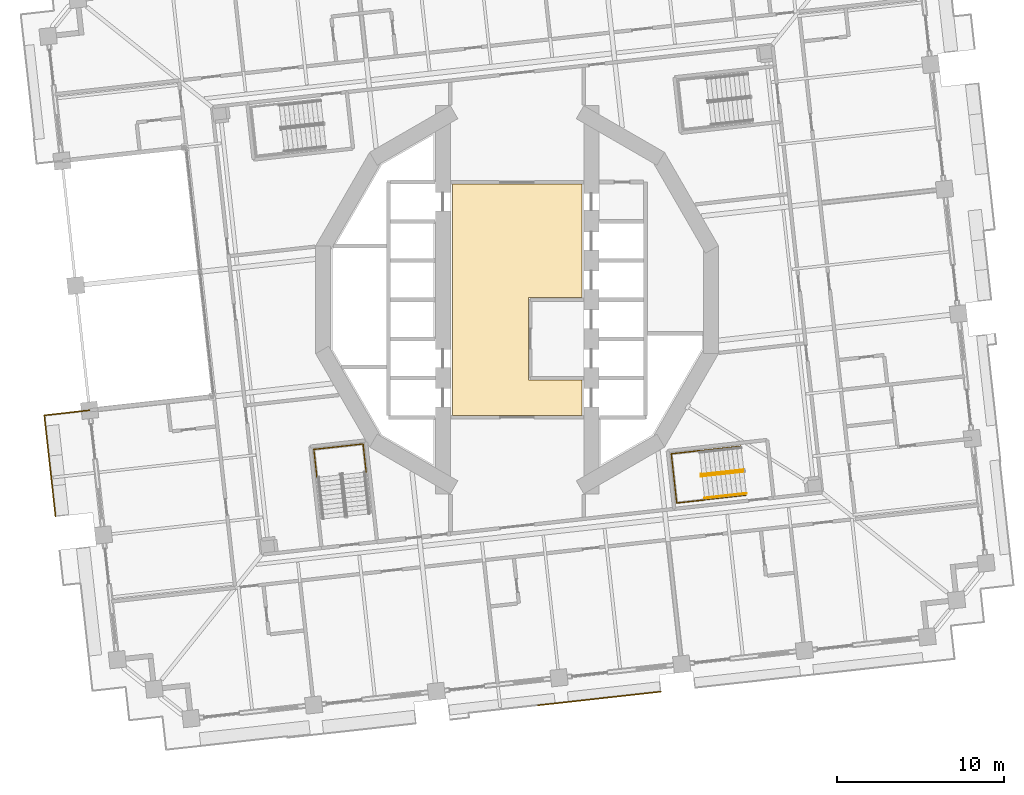
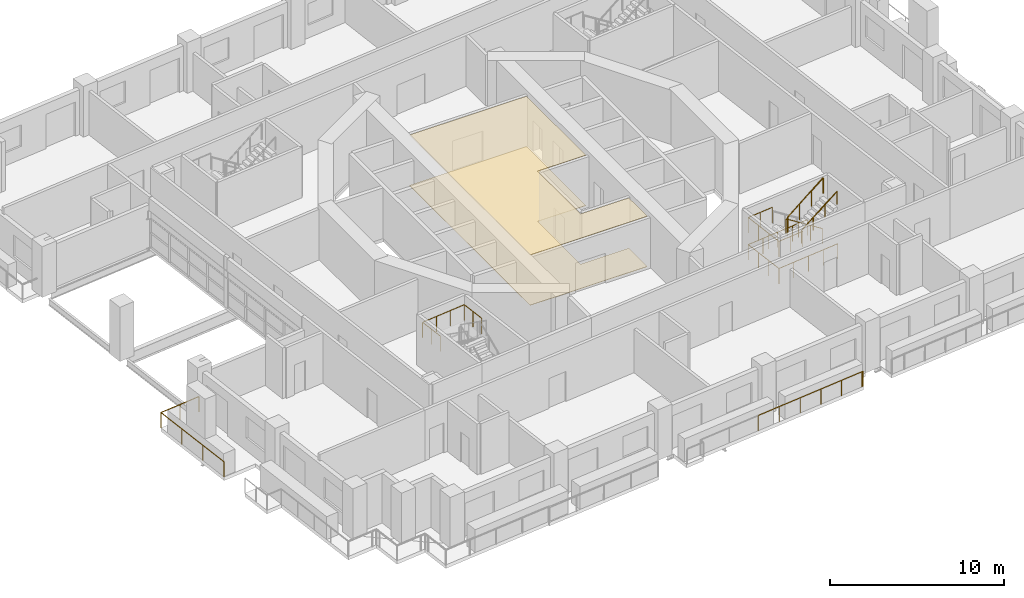
# One storey, part 16 of 21: 8 railings, 2 coverings.
"""IFC4 building model written with IfcOpenShell, lengths in metres."""

from ifc_helpers import new_model, si_unit, direction, frame, origin, origin_2d, place, context, subcontext, project, spatial, polyline, circle, outline, extrude, material, layer, layer_set, type_object, element, save


model = new_model("IFC4")

# Units and contexts
model_context = context("Model", 3, precision=1e-05, world=origin(), true_north=direction((0.0, 1.0)))
body_context = subcontext(model_context, "Body", "Model", "MODEL_VIEW")
ifc_project = project(units=[si_unit("LENGTHUNIT", "METRE"), si_unit("AREAUNIT", "SQUARE_METRE"), si_unit("VOLUMEUNIT", "CUBIC_METRE"), si_unit("PLANEANGLEUNIT", "RADIAN"), si_unit("MASSUNIT", "GRAM", prefix="KILO")], contexts=[model_context])

# Site, building, storey
site_placement = place(None, origin())
site = spatial("IfcSite", under=ifc_project, at=site_placement, CompositionType="ELEMENT")
building_placement = place(site_placement, origin())
building = spatial("IfcBuilding", under=site, at=building_placement, Name="Cantera Rosa Tower", CompositionType="ELEMENT")
storey_placement = place(building_placement, frame((0.0, 0.0, 69.10009765625)))
storey = spatial("IfcBuildingStorey", under=building, at=storey_placement, Name="L14", CompositionType="ELEMENT", Elevation=69.10009765625)

# Railings
ifc_material_1 = material(Name="Stainless steel and laminated glass", Category="steel")
railing_type_1 = type_object("IfcRailingType", Name="GUARD 1100", PredefinedType="BALUSTRADE", material=ifc_material_1)
railing_1_placement = place(storey_placement, frame((-27.669677734375, -12.9814453125, 0.0)))
element("IfcRailing", 1, at=railing_1_placement, inside=storey, type_object=railing_type_1, Name="GUARD L14-3", PredefinedType="BALUSTRADE", context=body_context, shape_type="SweptSolid", body=[
    extrude(circle(Radius=0.030029296875, at=origin_2d()), frame((0.0, 0.0, 1.070068359375), z_axis=(-0.110286322541, 0.993899857662, 0.0), x_axis=(-0.993899857662, -0.110286322541, 0.0)), (0.0, 0.0, 1.0), 6.08984375),
    extrude(circle(Radius=0.030029296875, at=origin_2d()), frame((-0.671630859375, 6.052734375, 1.070068359375), z_axis=(0.993893608981, 0.110342621082, 0.0), x_axis=(-0.110342621082, 0.993893608981, 0.0)), (0.0, 0.0, 1.0), 2.712646484375),
    extrude(circle(Radius=0.02490234375, at=origin_2d()), origin(), (0.0, 0.0, 1.0), 1.0400390625),
    extrude(circle(Radius=0.02490234375, at=origin_2d()), frame((-0.223876953125, 2.017578125, 0.0)), (0.0, 0.0, 1.0), 1.0400390625),
    extrude(circle(Radius=0.02490234375, at=origin_2d()), frame((-0.44775390625, 4.03515625, 0.0)), (0.0, 0.0, 1.0), 1.0400390625),
    extrude(circle(Radius=0.02490234375, at=origin_2d()), frame((-0.671630859375, 6.052734375, 0.0)), (0.0, 0.0, 1.0), 1.0400390625),
    extrude(circle(Radius=0.02490234375, at=origin_2d()), frame((0.67626953125, 6.202392578125, 0.0)), (0.0, 0.0, 1.0), 1.0400390625),
    extrude(circle(Radius=0.02490234375, at=origin_2d()), frame((2.0244140625, 6.35205078125, 0.0)), (0.0, 0.0, 1.0), 1.0400390625),
])
railing_2_placement = place(storey_placement, frame((8.6142578125, -23.4931640625, 0.0)))
element("IfcRailing", 2, at=railing_2_placement, inside=storey, type_object=railing_type_1, Name="GUARD L14-8", PredefinedType="BALUSTRADE", context=body_context, shape_type="SweptSolid", body=[
    extrude(circle(Radius=0.030029296875, at=origin_2d()), frame((0.0, 0.0, 1.070068359375), z_axis=(-0.994136314057, -0.108134125389, 0.0), x_axis=(0.108134125389, -0.994136314057, 0.0)), (0.0, 0.0, 1.0), 0.070068359375),
    extrude(circle(Radius=0.030029296875, at=origin_2d()), frame((-0.069580078125, -0.007568359375, 1.070068359375), z_axis=(-0.993891851654, -0.110358448777, 0.0), x_axis=(0.110358448777, -0.993891851654, 0.0)), (0.0, 0.0, 1.0), 4.400146484375),
    extrude(circle(Radius=0.030029296875, at=origin_2d()), frame((-4.44287109375, -0.4931640625, 1.070068359375), z_axis=(-0.993901585709, -0.110270748271, 0.0), x_axis=(0.110270748271, -0.993901585709, 0.0)), (0.0, 0.0, 1.0), 3.0),
    extrude(circle(Radius=0.02490234375, at=origin_2d()), origin(), (0.0, 0.0, 1.0), 1.0400390625),
    extrude(circle(Radius=0.02490234375, at=origin_2d()), frame((-0.069580078125, -0.007568359375, 0.0)), (0.0, 0.0, 1.0), 1.0400390625),
    extrude(circle(Radius=0.02490234375, at=origin_2d()), frame((-1.52734375, -0.16943359375, 0.0)), (0.0, 0.0, 1.0), 1.0400390625),
    extrude(circle(Radius=0.02490234375, at=origin_2d()), frame((-2.985107421875, -0.331298828125, 0.0)), (0.0, 0.0, 1.0), 1.0400390625),
    extrude(circle(Radius=0.02490234375, at=origin_2d()), frame((-4.44287109375, -0.4931640625, 0.0)), (0.0, 0.0, 1.0), 1.0400390625),
    extrude(circle(Radius=0.02490234375, at=origin_2d()), frame((-5.93359375, -0.65869140625, 0.0)), (0.0, 0.0, 1.0), 1.0400390625),
    extrude(circle(Radius=0.02490234375, at=origin_2d()), frame((-7.424560546875, -0.823974609375, 0.0)), (0.0, 0.0, 1.0), 1.0400390625),
])
ifc_material_2 = material(Name="Steel S355J2 (EN 10025-2)", Category="steel")
railing_type_2 = type_object("IfcRailingType", Name="STAIR GUARD 1100", PredefinedType="GUARDRAIL", material=ifc_material_2)
railing_3_placement = place(storey_placement, frame((-9.04638671875, -10.3349609375, 1.89990234375)))
element("IfcRailing", 3, at=railing_3_placement, inside=storey, type_object=railing_type_2, Name="L14 ST-13 stair guard 5", PredefinedType="GUARDRAIL", context=body_context, shape_type="SweptSolid", body=[
    extrude(circle(Radius=0.02392578125, at=origin_2d()), frame((0.0, 0.0, 1.076171875), z_axis=(-0.110305577623, 0.993897720867, 0.0), x_axis=(-0.993897720867, -0.110305577623, 0.0)), (0.0, 0.0, 1.0), 1.7021484375),
    extrude(circle(Radius=0.02392578125, at=origin_2d()), frame((-0.187744140625, 1.691650390625, 1.076171875), z_axis=(-0.993896759678, -0.110314237986, 0.0), x_axis=(0.110314237986, -0.993896759678, 0.0)), (0.0, 0.0, 1.0), 2.969970703125),
    extrude(circle(Radius=0.02392578125, at=origin_2d()), frame((-3.1396484375, 1.364013671875, 1.076171875), z_axis=(0.110447269257, -0.993881985305, 0.0), x_axis=(0.993881985305, 0.110447269257, 0.0)), (0.0, 0.0, 1.0), 1.7021484375),
    extrude(circle(Radius=0.02099609375, at=origin_2d()), origin(), (0.0, 0.0, 1.0), 1.052001953125),
    extrude(circle(Radius=0.02099609375, at=origin_2d()), frame((-0.09375, 0.845703125, 0.0)), (0.0, 0.0, 1.0), 1.052001953125),
    extrude(circle(Radius=0.02099609375, at=origin_2d()), frame((-0.187744140625, 1.691650390625, 0.0)), (0.0, 0.0, 1.0), 1.052001953125),
    extrude(circle(Radius=0.02099609375, at=origin_2d()), frame((-1.171630859375, 1.58251953125, 0.0)), (0.0, 0.0, 1.0), 1.052001953125),
    extrude(circle(Radius=0.02099609375, at=origin_2d()), frame((-2.15576171875, 1.47314453125, 0.0)), (0.0, 0.0, 1.0), 1.052001953125),
    extrude(circle(Radius=0.02099609375, at=origin_2d()), frame((-3.1396484375, 1.364013671875, 0.0)), (0.0, 0.0, 1.0), 1.052001953125),
    extrude(circle(Radius=0.02099609375, at=origin_2d()), frame((-3.045654296875, 0.51806640625, 0.0)), (0.0, 0.0, 1.0), 1.052001953125),
    extrude(circle(Radius=0.02099609375, at=origin_2d()), frame((-2.95166015625, -0.32763671875, 0.0)), (0.0, 0.0, 1.0), 1.052001953125),
])
railing_4_placement = place(storey_placement, frame((13.5859375, -10.19677734375, 0.18994140625)))
element("IfcRailing", 4, at=railing_4_placement, inside=storey, type_object=railing_type_2, Name="L14 ST-14 stair guard 1", PredefinedType="GUARDRAIL", context=body_context, shape_type="SweptSolid", body=[
    extrude(circle(Radius=0.02392578125, at=origin_2d()), frame((0.0, 0.0, 1.076171875), z_axis=(-0.822405392514, -0.091316020869, 0.561525382059), x_axis=(0.110357086308, -0.993892002937, 0.0)), (0.0, 0.0, 1.0), 3.045166015625),
    extrude(circle(Radius=0.02392578125, at=origin_2d()), frame((-2.50439453125, -0.278076171875, 2.7861328125), z_axis=(-0.933456941688, 0.358689472963, 0.0), x_axis=(-0.358689472963, -0.933456941688, 0.0)), (0.0, 0.0, 1.0), 0.056396484375),
    extrude(circle(Radius=0.02392578125, at=origin_2d()), frame((-2.55712890625, -0.2578125, 2.7861328125), z_axis=(0.110789159685, -0.993843932464, 0.0), x_axis=(0.993843932464, 0.110789159685, 0.0)), (0.0, 0.0, 1.0), 0.14990234375),
    extrude(circle(Radius=0.02099609375, at=origin_2d()), origin(), (0.0, 0.0, 1.0), 1.052001953125),
    extrude(circle(Radius=0.02099609375, at=origin_2d()), frame((-0.834716796875, -0.0927734375, 0.570068359375)), (0.0, 0.0, 1.0), 1.052001953125),
    extrude(circle(Radius=0.02099609375, at=origin_2d()), frame((-1.669677734375, -0.185302734375, 1.139892578125)), (0.0, 0.0, 1.0), 1.052001953125),
    extrude(circle(Radius=0.02099609375, at=origin_2d()), frame((-2.50439453125, -0.278076171875, 1.7099609375)), (0.0, 0.0, 1.0), 1.052001953125),
    extrude(circle(Radius=0.02099609375, at=origin_2d()), frame((-2.55712890625, -0.2578125, 1.7099609375)), (0.0, 0.0, 1.0), 1.052001953125),
    extrude(circle(Radius=0.02099609375, at=origin_2d()), frame((-2.54052734375, -0.40673828125, 1.7099609375)), (0.0, 0.0, 1.0), 1.052001953125),
])
railing_5_placement = place(storey_placement, frame((11.09228515625, -10.572265625, 2.08984375)))
element("IfcRailing", 5, at=railing_5_placement, inside=storey, type_object=railing_type_2, Name="L14 ST-14 stair guard 2", PredefinedType="GUARDRAIL", context=body_context, shape_type="SweptSolid", body=[
    extrude(circle(Radius=0.02392578125, at=origin_2d()), frame((0.0, 0.0, 1.076171875), z_axis=(0.822431337597, 0.091310000343, 0.561488360321), x_axis=(-0.110346460196, 0.993893182753, 0.0)), (0.0, 0.0, 1.0), 3.04541015625),
    extrude(circle(Radius=0.02099609375, at=origin_2d()), origin(), (0.0, 0.0, 1.0), 1.052001953125),
    extrude(circle(Radius=0.02099609375, at=origin_2d()), frame((0.8349609375, 0.0927734375, 0.570068359375)), (0.0, 0.0, 1.0), 1.052001953125),
    extrude(circle(Radius=0.02099609375, at=origin_2d()), frame((1.669677734375, 0.185302734375, 1.139892578125)), (0.0, 0.0, 1.0), 1.052001953125),
    extrude(circle(Radius=0.02099609375, at=origin_2d()), frame((2.504638671875, 0.278076171875, 1.7099609375)), (0.0, 0.0, 1.0), 1.052001953125),
])
railing_6_placement = place(storey_placement, frame((13.415771484375, -8.77099609375, 0.0)))
element("IfcRailing", 6, at=railing_6_placement, inside=storey, type_object=railing_type_2, Name="L14 ST-14 stair guard 4", PredefinedType="GUARDRAIL", context=body_context, shape_type="SweptSolid", body=[
    extrude(circle(Radius=0.02392578125, at=origin_2d()), frame((0.0, 0.0, 1.076171875), z_axis=(-0.9938957856, -0.110323013767, 0.0), x_axis=(0.110323013767, -0.9938957856, 0.0)), (0.0, 0.0, 1.0), 4.197998046875),
    extrude(circle(Radius=0.02392578125, at=origin_2d()), frame((-4.17236328125, -0.463134765625, 1.076171875), z_axis=(0.110314237986, -0.993896759678, 0.0), x_axis=(0.993896759678, 0.110314237986, 0.0)), (0.0, 0.0, 1.0), 2.969970703125),
    extrude(circle(Radius=0.02392578125, at=origin_2d()), frame((-3.8447265625, -3.4150390625, 1.076171875), z_axis=(0.9938957856, 0.110323013767, 0.0), x_axis=(-0.110323013767, 0.9938957856, 0.0)), (0.0, 0.0, 1.0), 4.197998046875),
    extrude(circle(Radius=0.02099609375, at=origin_2d()), origin(), (0.0, 0.0, 1.0), 1.052001953125),
    extrude(circle(Radius=0.02099609375, at=origin_2d()), frame((-1.04296875, -0.11572265625, 0.0)), (0.0, 0.0, 1.0), 1.052001953125),
    extrude(circle(Radius=0.02099609375, at=origin_2d()), frame((-2.086181640625, -0.2314453125, 0.0)), (0.0, 0.0, 1.0), 1.052001953125),
    extrude(circle(Radius=0.02099609375, at=origin_2d()), frame((-3.12939453125, -0.347412109375, 0.0)), (0.0, 0.0, 1.0), 1.052001953125),
    extrude(circle(Radius=0.02099609375, at=origin_2d()), frame((-4.17236328125, -0.463134765625, 0.0)), (0.0, 0.0, 1.0), 1.052001953125),
    extrude(circle(Radius=0.02099609375, at=origin_2d()), frame((-4.063232421875, -1.447021484375, 0.0)), (0.0, 0.0, 1.0), 1.052001953125),
    extrude(circle(Radius=0.02099609375, at=origin_2d()), frame((-3.953857421875, -2.43115234375, 0.0)), (0.0, 0.0, 1.0), 1.052001953125),
    extrude(circle(Radius=0.02099609375, at=origin_2d()), frame((-3.8447265625, -3.4150390625, 0.0)), (0.0, 0.0, 1.0), 1.052001953125),
    extrude(circle(Radius=0.02099609375, at=origin_2d()), frame((-2.8017578125, -3.29931640625, 0.0)), (0.0, 0.0, 1.0), 1.052001953125),
    extrude(circle(Radius=0.02099609375, at=origin_2d()), frame((-1.758544921875, -3.18359375, 0.0)), (0.0, 0.0, 1.0), 1.052001953125),
    extrude(circle(Radius=0.02099609375, at=origin_2d()), frame((-0.71533203125, -3.067626953125, 0.0)), (0.0, 0.0, 1.0), 1.052001953125),
    extrude(circle(Radius=0.02099609375, at=origin_2d()), frame((0.32763671875, -2.951904296875, 0.0)), (0.0, 0.0, 1.0), 1.052001953125),
])
railing_7_placement = place(storey_placement, frame((10.93505859375, -9.04638671875, 1.89990234375)))
element("IfcRailing", 7, at=railing_7_placement, inside=storey, type_object=railing_type_2, Name="L14 ST-14 stair guard 5", PredefinedType="GUARDRAIL", context=body_context, shape_type="SweptSolid", body=[
    extrude(circle(Radius=0.02392578125, at=origin_2d()), frame((0.0, 0.0, 1.076171875), z_axis=(-0.993897720867, -0.110305577623, 0.0), x_axis=(0.110305577623, -0.993897720867, 0.0)), (0.0, 0.0, 1.0), 1.7021484375),
    extrude(circle(Radius=0.02392578125, at=origin_2d()), frame((-1.691650390625, -0.187744140625, 1.076171875), z_axis=(0.110314237986, -0.993896759678, 0.0), x_axis=(0.993896759678, 0.110314237986, 0.0)), (0.0, 0.0, 1.0), 2.969970703125),
    extrude(circle(Radius=0.02392578125, at=origin_2d()), frame((-1.364013671875, -3.1396484375, 1.076171875), z_axis=(0.993881985305, 0.110447269257, 0.0), x_axis=(-0.110447269257, 0.993881985305, 0.0)), (0.0, 0.0, 1.0), 1.7021484375),
    extrude(circle(Radius=0.02099609375, at=origin_2d()), origin(), (0.0, 0.0, 1.0), 1.052001953125),
    extrude(circle(Radius=0.02099609375, at=origin_2d()), frame((-0.845703125, -0.09375, 0.0)), (0.0, 0.0, 1.0), 1.052001953125),
    extrude(circle(Radius=0.02099609375, at=origin_2d()), frame((-1.691650390625, -0.187744140625, 0.0)), (0.0, 0.0, 1.0), 1.052001953125),
    extrude(circle(Radius=0.02099609375, at=origin_2d()), frame((-1.58251953125, -1.171630859375, 0.0)), (0.0, 0.0, 1.0), 1.052001953125),
    extrude(circle(Radius=0.02099609375, at=origin_2d()), frame((-1.47314453125, -2.15576171875, 0.0)), (0.0, 0.0, 1.0), 1.052001953125),
    extrude(circle(Radius=0.02099609375, at=origin_2d()), frame((-1.364013671875, -3.1396484375, 0.0)), (0.0, 0.0, 1.0), 1.052001953125),
    extrude(circle(Radius=0.02099609375, at=origin_2d()), frame((-0.51806640625, -3.045654296875, 0.0)), (0.0, 0.0, 1.0), 1.052001953125),
    extrude(circle(Radius=0.02099609375, at=origin_2d()), frame((0.32763671875, -2.95166015625, 0.0)), (0.0, 0.0, 1.0), 1.052001953125),
])
ifc_material_3 = material(Name="Steel S355J2 (EN 10025-2)", Category="steel")
railing_type_3 = type_object("IfcRailingType", Name="STAIR HANDRAIL 900", PredefinedType="HANDRAIL", material=ifc_material_3)
railing_8_placement = place(storey_placement, frame((11.238525390625, -11.89013671875, 2.08984375)))
element("IfcRailing", 8, at=railing_8_placement, inside=storey, type_object=railing_type_3, Name="L14 ST-14 stair handrail 2", PredefinedType="HANDRAIL", context=body_context, shape_type="SweptSolid", body=[
    extrude(circle(Radius=0.02392578125, at=origin_2d()), frame((0.0, 0.0, 0.8759765625), z_axis=(0.822431337597, 0.091310000343, 0.561488360321), x_axis=(-0.110346460196, 0.993893182753, 0.0)), (0.0, 0.0, 1.0), 3.04541015625),
    extrude(circle(Radius=0.02099609375, at=origin_2d()), origin(), (0.0, 0.0, 1.0), 0.851806640625),
    extrude(circle(Radius=0.02099609375, at=origin_2d()), frame((0.8349609375, 0.0927734375, 0.570068359375)), (0.0, 0.0, 1.0), 0.851806640625),
    extrude(circle(Radius=0.02099609375, at=origin_2d()), frame((1.669677734375, 0.185302734375, 1.139892578125)), (0.0, 0.0, 1.0), 0.851806640625),
    extrude(circle(Radius=0.02099609375, at=origin_2d()), frame((2.504638671875, 0.278076171875, 1.7099609375)), (0.0, 0.0, 1.0), 0.851806640625),
])

# Coverings
ifc_material_4 = material(Name="Limestone paving", Category="masonry")
ifc_layer_1 = layer(ifc_material_4, 0.02490234375)
ifc_layer_set_1 = layer_set([ifc_layer_1], Name="STONE FLOOR FINISH 25")
covering_type_1 = type_object("IfcCoveringType", Name="STONE FLOOR FINISH 25", PredefinedType="FLOORING", material=ifc_layer_set_1)
covering_1_placement = place(storey_placement, origin())
element("IfcCovering", 9, at=covering_1_placement, inside=storey, type_object=covering_type_1, Name="STONE FLOOR FINISH L14", PredefinedType="FLOORING", context=body_context, shape_type="SweptSolid", body=[
    extrude(outline(polyline([(3.8798828125, 6.929931640625), (3.8798828125, 0.1201171875), (0.679931640625, 0.1201171875), (0.679931640625, -4.820068359375), (3.8798828125, -4.820068359375), (3.8798828125, -6.929931640625), (-3.8798828125, -6.929931640625), (-3.8798828125, 6.929931640625), (3.8798828125, 6.929931640625)])), origin(), (0.0, 0.0, 1.0), 0.02490234375),
])
ifc_material_5 = material(Name="Gypsum ceiling tile")
ifc_layer_2 = layer(ifc_material_5, 0.030029296875)
ifc_layer_set_2 = layer_set([ifc_layer_2], Name="SUSPENDED CEILING 30")
covering_type_2 = type_object("IfcCoveringType", Name="SUSPENDED CEILING 30", PredefinedType="CEILING", material=ifc_layer_set_2)
covering_2_placement = place(storey_placement, frame((0.0, 0.0, 3.52001953125)))
element("IfcCovering", 10, at=covering_2_placement, inside=storey, type_object=covering_type_2, Name="SUSPENDED CEILING L14", PredefinedType="CEILING", context=body_context, shape_type="SweptSolid", body=[
    extrude(outline(polyline([(3.8798828125, 6.929931640625), (3.8798828125, 0.1201171875), (0.679931640625, 0.1201171875), (0.679931640625, -4.820068359375), (3.8798828125, -4.820068359375), (3.8798828125, -6.929931640625), (-3.8798828125, -6.929931640625), (-3.8798828125, 6.929931640625), (3.8798828125, 6.929931640625)])), origin(), (0.0, 0.0, 1.0), 0.02978515625),
])

save(model, "model.ifc")
